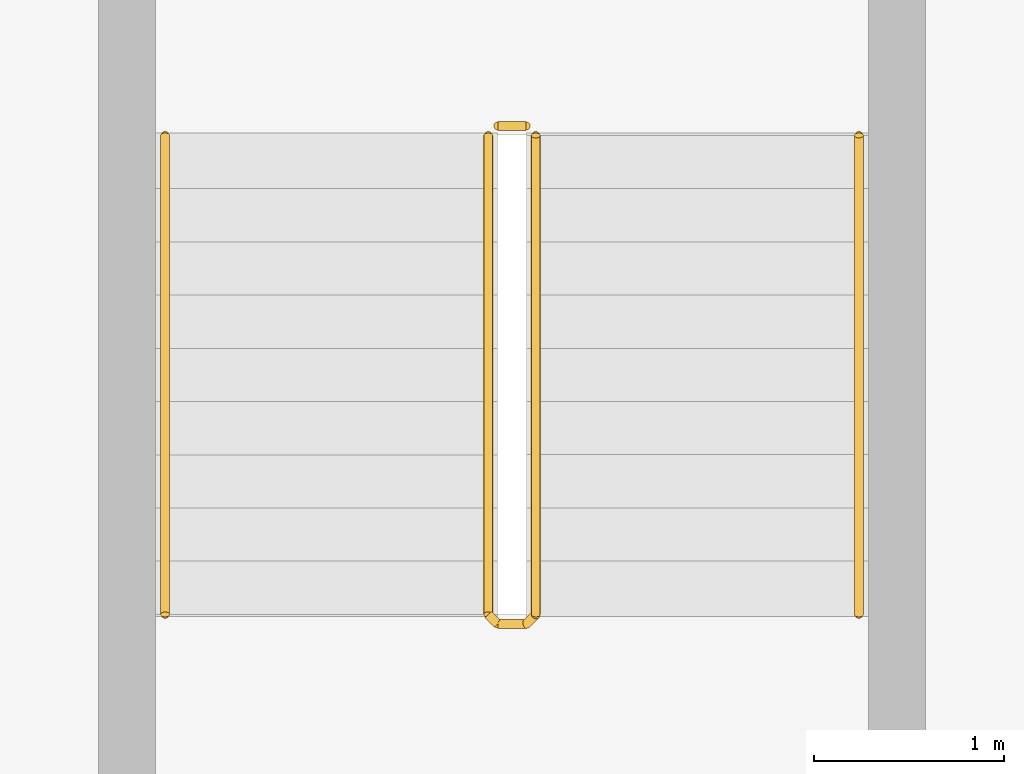
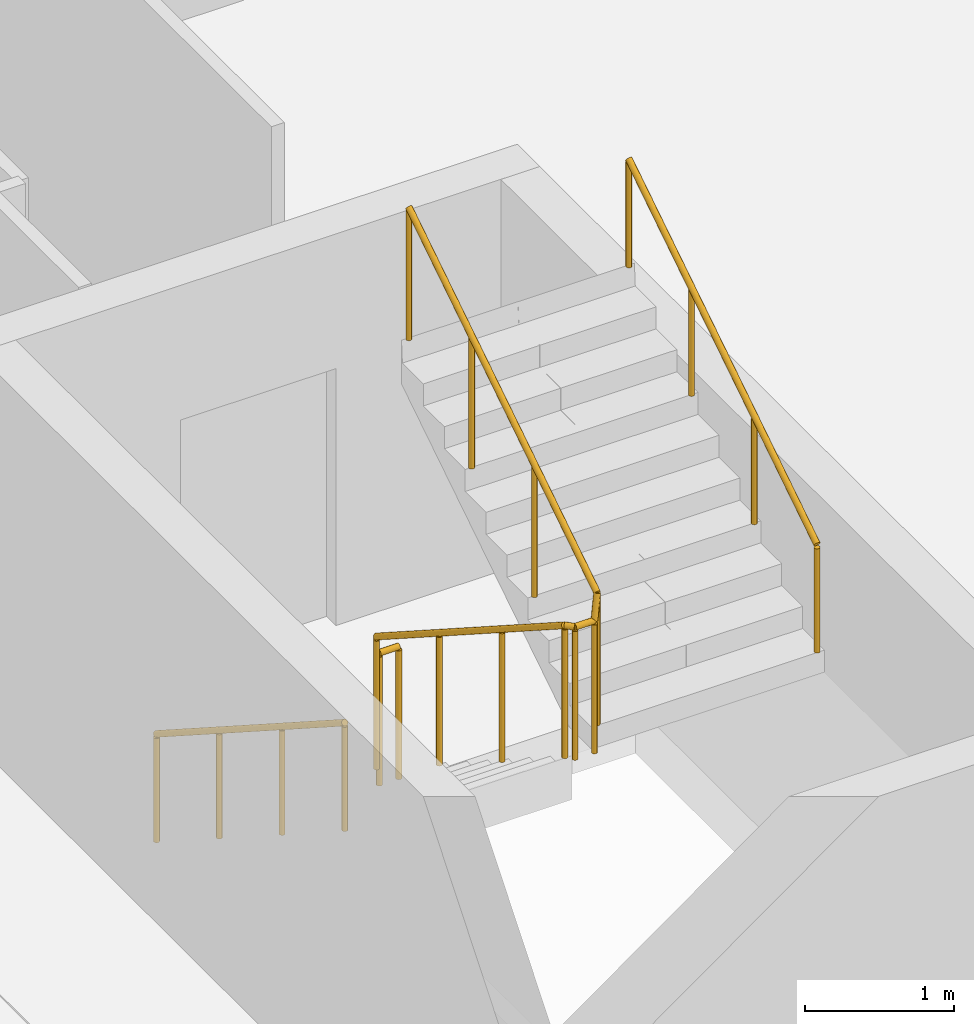
# One storey, part 25 of 27: 4 railings.
"""IFC4 building model written with IfcOpenShell, lengths in metres."""

from ifc_helpers import new_model, si_unit, direction, frame, origin, origin_2d, place, context, subcontext, project, spatial, circle, extrude, material, type_object, element, save


model = new_model("IFC4")

# Units and contexts
model_context = context("Model", 3, precision=1e-05, world=origin(), true_north=direction((0.0, 1.0)))
body_context = subcontext(model_context, "Body", "Model", "MODEL_VIEW")
ifc_project = project(units=[si_unit("LENGTHUNIT", "METRE"), si_unit("AREAUNIT", "SQUARE_METRE"), si_unit("VOLUMEUNIT", "CUBIC_METRE"), si_unit("PLANEANGLEUNIT", "RADIAN"), si_unit("MASSUNIT", "GRAM", prefix="KILO")], contexts=[model_context])

# Site, building, storey
site_placement = place(None, origin())
site = spatial("IfcSite", under=ifc_project, at=site_placement, CompositionType="ELEMENT")
building_placement = place(site_placement, origin())
building = spatial("IfcBuilding", under=site, at=building_placement, Name="Wharfspan Tower", CompositionType="ELEMENT")
storey_placement = place(building_placement, frame((0.0, 0.0, 45.100098)))
storey = spatial("IfcBuildingStorey", under=building, at=storey_placement, Name="L07", CompositionType="ELEMENT", Elevation=45.100098)

# Railings
ifc_material = material(Name="Steel S355J2", Category="steel")
railing_type_1 = type_object("IfcRailingType", Name="Stair guard 1100", PredefinedType="GUARDRAIL", material=ifc_material)
railing_1_placement = place(storey_placement, frame((39.258301, 3.760498, 0.179932)))
element("IfcRailing", 1, at=railing_1_placement, inside=storey, type_object=railing_type_1, Name="L07 ST4 stair guard 1", PredefinedType="GUARDRAIL", context=body_context, shape_type="SweptSolid", body=[
    extrude(circle(Radius=0.023926, at=origin_2d()), frame((0.0, 0.0, 1.076172), z_axis=(0.0, -0.841176, 0.540762), x_axis=(1.0, 0.0, 0.0)), (0.0, 0.0, 1.0), 2.995605),
    extrude(circle(Radius=0.023926, at=origin_2d()), frame((0.0, -2.519775, 2.695801), z_axis=(0.707107, -0.707107, 0.0), x_axis=(0.707107, 0.707107, 0.0)), (0.0, 0.0, 1.0), 0.070801),
    extrude(circle(Radius=0.023926, at=origin_2d()), frame((0.050049, -2.569824, 2.695801), z_axis=(1.0, 0.0, 0.0), x_axis=(0.0, 1.0, 0.0)), (0.0, 0.0, 1.0), 0.149902),
    extrude(circle(Radius=0.023926, at=origin_2d()), frame((0.199951, -2.569824, 2.695801), z_axis=(0.258544, 0.258544, 0.930758), x_axis=(-0.707107, 0.707107, 0.0)), (0.0, 0.0, 1.0), 0.193604),
    extrude(circle(Radius=0.023926, at=origin_2d()), frame((0.25, -2.519775, 2.875977), z_axis=(0.0, 0.841176, 0.540762), x_axis=(-1.0, 0.0, 0.0)), (0.0, 0.0, 1.0), 2.995605),
    extrude(circle(Radius=0.020996, at=origin_2d()), origin(), (0.0, 0.0, 1.0), 1.052002),
    extrude(circle(Radius=0.020996, at=origin_2d()), frame((0.0, -0.839844, 0.540039)), (0.0, 0.0, 1.0), 1.052002),
    extrude(circle(Radius=0.020996, at=origin_2d()), frame((0.0, -1.679932, 1.079834)), (0.0, 0.0, 1.0), 1.052002),
    extrude(circle(Radius=0.020996, at=origin_2d()), frame((0.0, -2.519775, 1.619873)), (0.0, 0.0, 1.0), 1.052002),
    extrude(circle(Radius=0.020996, at=origin_2d()), frame((0.050049, -2.569824, 1.619873)), (0.0, 0.0, 1.0), 1.052002),
    extrude(circle(Radius=0.020996, at=origin_2d()), frame((0.199951, -2.569824, 1.619873)), (0.0, 0.0, 1.0), 1.052002),
    extrude(circle(Radius=0.020996, at=origin_2d()), frame((0.25, -2.519775, 1.800049)), (0.0, 0.0, 1.0), 1.052002),
    extrude(circle(Radius=0.020996, at=origin_2d()), frame((0.25, -1.679932, 2.340088)), (0.0, 0.0, 1.0), 1.052002),
    extrude(circle(Radius=0.020996, at=origin_2d()), frame((0.25, -0.839844, 2.879883)), (0.0, 0.0, 1.0), 1.052002),
    extrude(circle(Radius=0.020996, at=origin_2d()), frame((0.25, 0.0, 3.419922)), (0.0, 0.0, 1.0), 1.052002),
])
railing_2_placement = place(storey_placement, frame((39.30835, 3.810547, 0.0)))
element("IfcRailing", 2, at=railing_2_placement, inside=storey, type_object=railing_type_1, Name="L07 ST4 stair guard 2", PredefinedType="GUARDRAIL", context=body_context, shape_type="SweptSolid", body=[
    extrude(circle(Radius=0.023926, at=origin_2d()), frame((0.0, 0.0, 1.076172), z_axis=(1.0, 0.0, 0.0), x_axis=(0.0, 1.0, 0.0)), (0.0, 0.0, 1.0), 0.149902),
    extrude(circle(Radius=0.020996, at=origin_2d()), origin(), (0.0, 0.0, 1.0), 1.052002),
    extrude(circle(Radius=0.020996, at=origin_2d()), frame((0.149902, 0.0, 0.0)), (0.0, 0.0, 1.0), 1.052002),
])
railing_type_2 = type_object("IfcRailingType", Name="Stair handrail 900", PredefinedType="HANDRAIL", material=ifc_material)
railing_3_placement = place(storey_placement, frame((37.55835, 3.760498, 0.179932)))
element("IfcRailing", 3, at=railing_3_placement, inside=storey, type_object=railing_type_2, Name="L07 ST4 stair handrail 1", PredefinedType="HANDRAIL", context=body_context, shape_type="SweptSolid", body=[
    extrude(circle(Radius=0.023926, at=origin_2d()), frame((0.0, 0.0, 0.875977), z_axis=(0.0, -0.841176, 0.540762), x_axis=(1.0, 0.0, 0.0)), (0.0, 0.0, 1.0), 2.995605),
    extrude(circle(Radius=0.020996, at=origin_2d()), origin(), (0.0, 0.0, 1.0), 0.851807),
    extrude(circle(Radius=0.020996, at=origin_2d()), frame((0.0, -0.839844, 0.540039)), (0.0, 0.0, 1.0), 0.851807),
    extrude(circle(Radius=0.020996, at=origin_2d()), frame((0.0, -1.679932, 1.079834)), (0.0, 0.0, 1.0), 0.851807),
    extrude(circle(Radius=0.020996, at=origin_2d()), frame((0.0, -2.519775, 1.619873)), (0.0, 0.0, 1.0), 0.851807),
])
railing_4_placement = place(storey_placement, frame((41.208252, 1.240723, 1.97998)))
element("IfcRailing", 4, at=railing_4_placement, inside=storey, type_object=railing_type_2, Name="L07 ST4 stair handrail 2", PredefinedType="HANDRAIL", context=body_context, shape_type="SweptSolid", body=[
    extrude(circle(Radius=0.023926, at=origin_2d()), frame((0.0, 0.0, 0.875977), z_axis=(0.0, 0.841176, 0.540762), x_axis=(-1.0, 0.0, 0.0)), (0.0, 0.0, 1.0), 2.995605),
    extrude(circle(Radius=0.020996, at=origin_2d()), origin(), (0.0, 0.0, 1.0), 0.851807),
    extrude(circle(Radius=0.020996, at=origin_2d()), frame((0.0, 0.839844, 0.540039)), (0.0, 0.0, 1.0), 0.851807),
    extrude(circle(Radius=0.020996, at=origin_2d()), frame((0.0, 1.679932, 1.079834)), (0.0, 0.0, 1.0), 0.851807),
    extrude(circle(Radius=0.020996, at=origin_2d()), frame((0.0, 2.519775, 1.619873)), (0.0, 0.0, 1.0), 0.851807),
])

save(model, "model.ifc")
